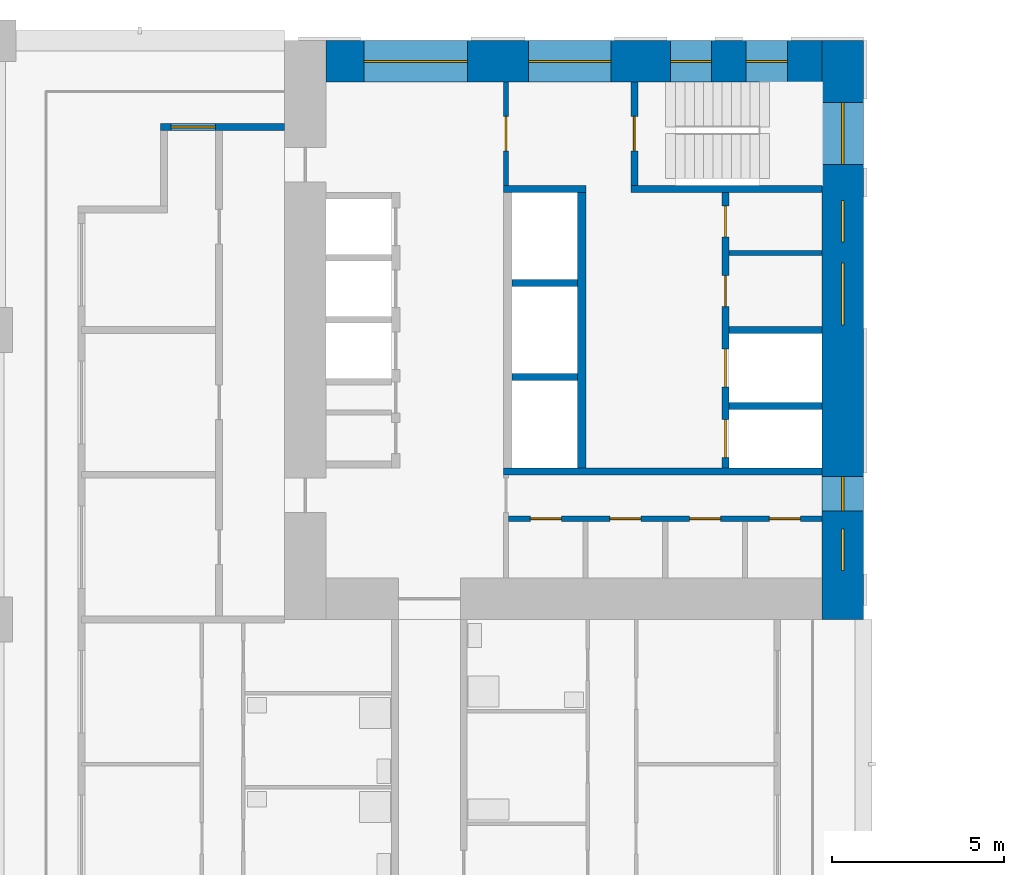
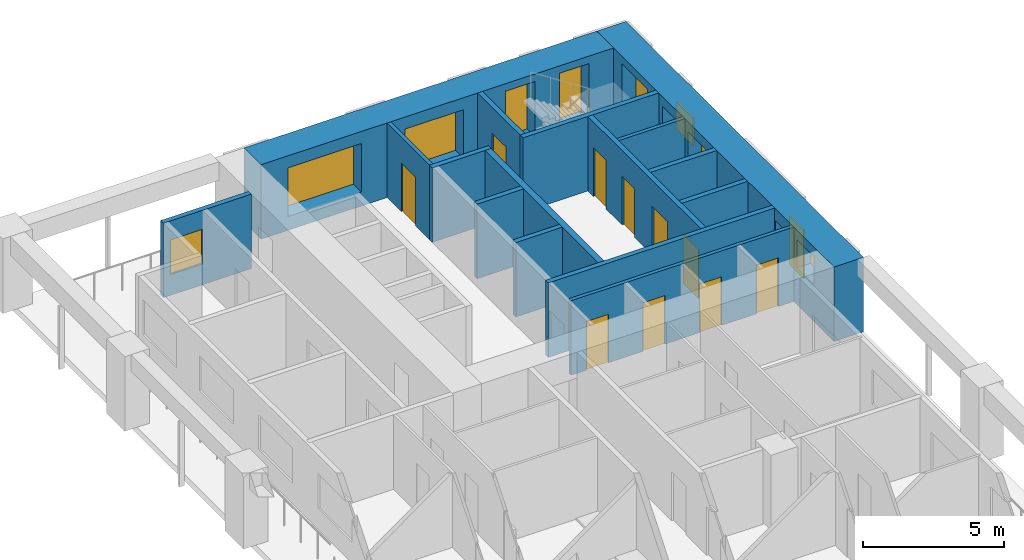
# One storey, part 8 of 17: 16 walls, 10 doors, 10 windows, 20 openings.
"""IFC4 building model written with IfcOpenShell, lengths in metres."""

from ifc_helpers import new_model, si_unit, direction, frame, frame_2d, origin, place, context, subcontext, project, spatial, rectangle, extrude, material, layer, layer_set, type_object, element, fill, save


model = new_model("IFC4")

# Units and contexts
model_context = context("Model", 3, precision=1e-05, world=origin(), true_north=direction((0.0, 1.0)))
body_context = subcontext(model_context, "Body", "Model", "MODEL_VIEW")
ifc_project = project(units=[si_unit("LENGTHUNIT", "METRE"), si_unit("AREAUNIT", "SQUARE_METRE"), si_unit("VOLUMEUNIT", "CUBIC_METRE"), si_unit("PLANEANGLEUNIT", "RADIAN"), si_unit("MASSUNIT", "GRAM", prefix="KILO")], contexts=[model_context])

# Site, building, storey
site_placement = place(None, origin())
site = spatial("IfcSite", under=ifc_project, at=site_placement, CompositionType="ELEMENT")
building_placement = place(site_placement, origin())
building = spatial("IfcBuilding", under=site, at=building_placement, Name="Vermilion Gate Residences", CompositionType="ELEMENT")
storey_placement = place(building_placement, frame((0.0, 0.0, 95.199951171875)))
storey = spatial("IfcBuildingStorey", under=building, at=storey_placement, Name="L23", CompositionType="ELEMENT", Elevation=95.199951171875)

# Wall
ifc_material_1 = material(Name="Masonry blockwork", Category="masonry")
ifc_layer_1 = layer(ifc_material_1, 0.14990234375)
ifc_layer_set_1 = layer_set([ifc_layer_1], Name="BLOCKWORK PARTITION 150 EI 120")
wall_type_1 = type_object("IfcWallType", Name="BLOCKWORK PARTITION 150 EI 120", PredefinedType="PARTITIONING", material=ifc_layer_set_1)
wall_1_placement = place(storey_placement, frame((21.300048828125, 52.637451171875, 0.0), z_axis=(0.0, 0.0, 1.0), x_axis=(1.0, 0.0, 0.0)))
element("IfcWall", 1, at=wall_1_placement, inside=storey, type_object=wall_type_1, Name="Core room partition B23-NR-P0", PredefinedType="PARTITIONING", context=body_context, shape_type="SweptSolid", body=[
    extrude(rectangle(XDim=2.699951171875, YDim=0.14990234375, at=frame_2d((1.35009765625, 0.0))), origin(), (0.0, 0.0, 1.0), 3.219970703125),
])

# Wall, opening, door
wall_2_placement = place(storey_placement, frame((14.824951171875, 57.60009765625, 0.0), z_axis=(0.0, 0.0, 1.0), x_axis=(0.0, -1.0, 0.0)))
wall_2 = element("IfcWall", 2, at=wall_2_placement, inside=storey, type_object=wall_type_1, Name="Core room partition B23-VW-S", PredefinedType="PARTITIONING", context=body_context, shape_type="SweptSolid", body=[
    extrude(rectangle(XDim=3.0, YDim=0.14990234375, at=frame_2d((1.5, 0.0))), origin(), (0.0, 0.0, 1.0), 3.219970703125),
])
opening_1_placement = place(wall_2_placement, frame((1.0, 0.0, 0.0)))
opening_1 = element("IfcOpeningElement", 3, at=opening_1_placement, cuts=wall_2, Name="Opening DK23113", PredefinedType="OPENING", context=body_context, shape_type="SweptSolid", body=[
    extrude(rectangle(XDim=1.0, YDim=2.10009765625, at=frame_2d((0.5, 1.050048828125))), frame((0.0, 0.0849609375, 0.0), z_axis=(0.0, -1.0, 0.0), x_axis=(1.0, 0.0, 0.0)), (0.0, 0.0, 1.0), 0.169921875),
])
ifc_material_2 = material(Name="Steel", Category="steel")
door_type_1 = type_object("IfcDoorType", Name="FIRE DOOR FD60 1000 X 2100", OperationType="SINGLE_SWING_LEFT", PredefinedType="DOOR", material=ifc_material_2)
door_1_placement = place(opening_1_placement, frame((1.0, 0.0, 0.0), z_axis=(0.0, 0.0, 1.0), x_axis=(-1.0, 0.0, 0.0)))
door_1 = element("IfcDoor", 4, at=door_1_placement, inside=storey, type_object=door_type_1, Name="Stair vestibule door B23", OperationType="SINGLE_SWING_RIGHT", OverallHeight=2.10009765625, OverallWidth=1.0, PredefinedType="DOOR", context=body_context, shape_type="SweptSolid", body=[
    extrude(rectangle(XDim=1.0, YDim=2.10009765625, at=frame_2d((0.5, 1.050048828125))), frame((0.0, 0.02490234375, 0.0), z_axis=(0.0, -1.0, 0.0), x_axis=(1.0, 0.0, 0.0)), (0.0, 0.0, 1.0), 0.050048828125),
])
fill(opening_1, door_1)

# Wall, openings, doors
wall_3_placement = place(storey_placement, frame((14.89990234375, 44.925048828125, 0.0), z_axis=(0.0, 0.0, 1.0), x_axis=(1.0, 0.0, 0.0)))
wall_3 = element("IfcWall", 5, at=wall_3_placement, inside=storey, type_object=wall_type_1, Name="Core room partition B23-ES-W", PredefinedType="PARTITIONING", context=body_context, shape_type="SweptSolid", body=[
    extrude(rectangle(XDim=9.10009765625, YDim=0.14990234375, at=frame_2d((4.550048828125, 0.0))), origin(), (0.0, 0.0, 1.0), 3.219970703125),
])
opening_2_placement = place(wall_3_placement, frame((0.63134765625, 0.0, 0.0)))
opening_2 = element("IfcOpeningElement", 6, at=opening_2_placement, cuts=wall_3, Name="Opening DK23116", PredefinedType="OPENING", context=body_context, shape_type="SweptSolid", body=[
    extrude(rectangle(XDim=0.89990234375, YDim=2.10009765625, at=frame_2d((0.449951171875, 1.050048828125))), frame((0.0, 0.0849609375, 0.0), z_axis=(0.0, -1.0, 0.0), x_axis=(1.0, 0.0, 0.0)), (0.0, 0.0, 1.0), 0.169921875),
])
opening_3_placement = place(wall_3_placement, frame((2.94384765625, 0.0, 0.0)))
opening_3 = element("IfcOpeningElement", 7, at=opening_3_placement, cuts=wall_3, Name="Opening DK23117", PredefinedType="OPENING", context=body_context, shape_type="SweptSolid", body=[
    extrude(rectangle(XDim=0.89990234375, YDim=2.10009765625, at=frame_2d((0.449951171875, 1.050048828125))), frame((0.0, 0.0849609375, 0.0), z_axis=(0.0, -1.0, 0.0), x_axis=(1.0, 0.0, 0.0)), (0.0, 0.0, 1.0), 0.169921875),
])
opening_4_placement = place(wall_3_placement, frame((5.25634765625, 0.0, 0.0)))
opening_4 = element("IfcOpeningElement", 8, at=opening_4_placement, cuts=wall_3, Name="Opening DK23118", PredefinedType="OPENING", context=body_context, shape_type="SweptSolid", body=[
    extrude(rectangle(XDim=0.89990234375, YDim=2.10009765625, at=frame_2d((0.449951171875, 1.050048828125))), frame((0.0, 0.0849609375, 0.0), z_axis=(0.0, -1.0, 0.0), x_axis=(1.0, 0.0, 0.0)), (0.0, 0.0, 1.0), 0.169921875),
])
opening_5_placement = place(wall_3_placement, frame((7.56884765625, 0.0, 0.0)))
opening_5 = element("IfcOpeningElement", 9, at=opening_5_placement, cuts=wall_3, Name="Opening DK23119", PredefinedType="OPENING", context=body_context, shape_type="SweptSolid", body=[
    extrude(rectangle(XDim=0.89990234375, YDim=2.10009765625, at=frame_2d((0.449951171875, 1.050048828125))), frame((0.0, 0.0849609375, 0.0), z_axis=(0.0, -1.0, 0.0), x_axis=(1.0, 0.0, 0.0)), (0.0, 0.0, 1.0), 0.169921875),
])
ifc_material_3 = material(Name="Steel", Category="steel")
door_type_2 = type_object("IfcDoorType", Name="SERVICE ROOM DOOR FD60 900 X 2100", OperationType="SINGLE_SWING_LEFT", PredefinedType="DOOR", material=ifc_material_3)
door_2_placement = place(opening_2_placement, frame((0.89990234375, 0.0, 0.0), z_axis=(0.0, 0.0, 1.0), x_axis=(-1.0, 0.0, 0.0)))
door_2 = element("IfcDoor", 10, at=door_2_placement, inside=storey, type_object=door_type_2, Name="Electrical room B23", OperationType="SINGLE_SWING_RIGHT", OverallHeight=2.10009765625, OverallWidth=0.89990234375, PredefinedType="DOOR", context=body_context, shape_type="SweptSolid", body=[
    extrude(rectangle(XDim=0.89990234375, YDim=2.10009765625, at=frame_2d((0.449951171875, 1.050048828125))), frame((0.0, 0.02490234375, 0.0), z_axis=(0.0, -1.0, 0.0), x_axis=(1.0, 0.0, 0.0)), (0.0, 0.0, 1.0), 0.050048828125),
])
fill(opening_2, door_2)
door_3_placement = place(opening_3_placement, frame((0.89990234375, 0.0, 0.0), z_axis=(0.0, 0.0, 1.0), x_axis=(-1.0, 0.0, 0.0)))
door_3 = element("IfcDoor", 11, at=door_3_placement, inside=storey, type_object=door_type_2, Name="Storage room B23", OperationType="SINGLE_SWING_RIGHT", OverallHeight=2.10009765625, OverallWidth=0.89990234375, PredefinedType="DOOR", context=body_context, shape_type="SweptSolid", body=[
    extrude(rectangle(XDim=0.89990234375, YDim=2.10009765625, at=frame_2d((0.449951171875, 1.050048828125))), frame((0.0, 0.02490234375, 0.0), z_axis=(0.0, -1.0, 0.0), x_axis=(1.0, 0.0, 0.0)), (0.0, 0.0, 1.0), 0.050048828125),
])
fill(opening_3, door_3)
door_4_placement = place(opening_4_placement, frame((0.89990234375, 0.0, 0.0), z_axis=(0.0, 0.0, 1.0), x_axis=(-1.0, 0.0, 0.0)))
door_4 = element("IfcDoor", 12, at=door_4_placement, inside=storey, type_object=door_type_2, Name="Storage room B23", OperationType="SINGLE_SWING_RIGHT", OverallHeight=2.10009765625, OverallWidth=0.89990234375, PredefinedType="DOOR", context=body_context, shape_type="SweptSolid", body=[
    extrude(rectangle(XDim=0.89990234375, YDim=2.10009765625, at=frame_2d((0.449951171875, 1.050048828125))), frame((0.0, 0.02490234375, 0.0), z_axis=(0.0, -1.0, 0.0), x_axis=(1.0, 0.0, 0.0)), (0.0, 0.0, 1.0), 0.050048828125),
])
fill(opening_4, door_4)
door_5_placement = place(opening_5_placement, frame((0.89990234375, 0.0, 0.0), z_axis=(0.0, 0.0, 1.0), x_axis=(-1.0, 0.0, 0.0)))
door_5 = element("IfcDoor", 13, at=door_5_placement, inside=storey, type_object=door_type_2, Name="Communications room B23", OperationType="SINGLE_SWING_RIGHT", OverallHeight=2.10009765625, OverallWidth=0.89990234375, PredefinedType="DOOR", context=body_context, shape_type="SweptSolid", body=[
    extrude(rectangle(XDim=0.89990234375, YDim=2.10009765625, at=frame_2d((0.449951171875, 1.050048828125))), frame((0.0, 0.02490234375, 0.0), z_axis=(0.0, -1.0, 0.0), x_axis=(1.0, 0.0, 0.0)), (0.0, 0.0, 1.0), 0.050048828125),
])
fill(opening_5, door_5)

# Wall, opening, window
ifc_material_4 = material(Name="Insulated steel stud wall with terracotta rainscreen", Category="masonry")
ifc_layer_2 = layer(ifc_material_4, 0.199951171875)
ifc_layer_set_2 = layer_set([ifc_layer_2], Name="EXTERNAL WALL 200 TERRACOTTA RAINSCREEN")
wall_type_2 = type_object("IfcWallType", Name="EXTERNAL WALL 200 TERRACOTTA RAINSCREEN", PredefinedType="SOLIDWALL", material=ifc_layer_set_2)
wall_4_placement = place(storey_placement, frame((8.39990234375, 56.300048828125, 0.0), z_axis=(0.0, 0.0, 1.0), x_axis=(-1.0, 0.0, 0.0)))
wall_4 = element("IfcWall", 14, at=wall_4_placement, inside=storey, type_object=wall_type_2, Name="External wall", PredefinedType="SOLIDWALL", context=body_context, shape_type="SweptSolid", body=[
    extrude(rectangle(XDim=3.599853515625, YDim=0.199951171875, at=frame_2d((1.7998046875, 0.0))), origin(), (0.0, 0.0, 1.0), 3.219970703125),
])
opening_6_placement = place(wall_4_placement, frame((2.0, 0.0, 0.89990234375)))
opening_6 = element("IfcOpeningElement", 15, at=opening_6_placement, cuts=wall_4, Name="Opening WE23001", PredefinedType="OPENING", context=body_context, shape_type="SweptSolid", body=[
    extrude(rectangle(XDim=1.300048828125, YDim=1.5, at=frame_2d((0.64990234375, 0.75))), frame((0.0, 0.10986328125, 0.0), z_axis=(0.0, -1.0, 0.0), x_axis=(1.0, 0.0, 0.0)), (0.0, 0.0, 1.0), 0.219970703125),
])
ifc_material_5 = material(Name="Aluminium and clear glass", Category="aluminium")
window_type_1 = type_object("IfcWindowType", Name="WINDOW 1300 X 1500", PartitioningType="SINGLE_PANEL", PredefinedType="WINDOW", material=ifc_material_5)
window_1_placement = place(opening_6_placement, origin())
window_1 = element("IfcWindow", 16, at=window_1_placement, inside=storey, type_object=window_type_1, Name="Window", OverallHeight=1.5, OverallWidth=1.300048828125, PartitioningType="SINGLE_PANEL", PredefinedType="WINDOW", context=body_context, shape_type="SweptSolid", body=[
    extrude(rectangle(XDim=1.300048828125, YDim=1.5, at=frame_2d((0.64990234375, 0.75))), frame((0.0, 0.030029296875, 0.0), z_axis=(0.0, -1.0, 0.0), x_axis=(1.0, 0.0, 0.0)), (0.0, 0.0, 1.0), 0.06005859375),
])
fill(opening_6, window_1)

# Walls
ifc_material_6 = material(Name="Concrete C60", Category="concrete")
ifc_layer_3 = layer(ifc_material_6, 0.199951171875)
ifc_layer_set_3 = layer_set([ifc_layer_3], Name="RC CORE INTERNAL WALL 200 C60")
wall_type_3 = type_object("IfcWallType", Name="RC CORE INTERNAL WALL 200 C60", PredefinedType="SHEAR", material=ifc_layer_set_3)
for number, where, z_axis, x_axis, name in (
    (17, (15.0, 51.7666015625, 0.0), (0.0, 0.0, 1.0), (1.0, 0.0, 0.0), "Core internal wall B23-HR-D1"),
    (18, (15.0, 49.033447265625, 0.0), (0.0, 0.0, 1.0), (1.0, 0.0, 0.0), "Core internal wall B23-HR-D2"),
):
    element("IfcWall", number, at=place(storey_placement, frame(where, z_axis=z_axis, x_axis=x_axis)), inside=storey, type_object=wall_type_3, Name=name, PredefinedType="SHEAR", context=body_context, shape_type="SweptSolid", body=[
        extrude(rectangle(XDim=1.89990234375, YDim=0.199951171875, at=frame_2d((0.949951171875, 0.0))), origin(), (0.0, 0.0, 1.0), 3.219970703125),
    ])
for number, where, z_axis, x_axis, name in (
    (19, (21.300048828125, 50.39990234375, 0.0), (0.0, 0.0, 1.0), (1.0, 0.0, 0.0), "Core internal wall B23-FF-D0"),
    (20, (21.300048828125, 48.199951171875, 0.0), (0.0, 0.0, 1.0), (1.0, 0.0, 0.0), "Core internal wall B23-FF-D1"),
):
    element("IfcWall", number, at=place(storey_placement, frame(where, z_axis=z_axis, x_axis=x_axis)), inside=storey, type_object=wall_type_3, Name=name, PredefinedType="SHEAR", context=body_context, shape_type="SweptSolid", body=[
        extrude(rectangle(XDim=2.699951171875, YDim=0.199951171875, at=frame_2d((1.35009765625, 0.0))), origin(), (0.0, 0.0, 1.0), 3.219970703125),
    ])

# Wall, openings, doors
wall_5_placement = place(storey_placement, frame((21.199951171875, 54.39990234375, 0.0), z_axis=(0.0, 0.0, 1.0), x_axis=(0.0, -1.0, 0.0)))
wall_5 = element("IfcWall", 21, at=wall_5_placement, inside=storey, type_object=wall_type_3, Name="Core internal wall B23-FF-F", PredefinedType="SHEAR", context=body_context, shape_type="SweptSolid", body=[
    extrude(rectangle(XDim=8.0, YDim=0.199951171875, at=frame_2d((4.0, 0.0))), origin(), (0.0, 0.0, 1.0), 3.219970703125),
])
opening_7_placement = place(wall_5_placement, frame((0.393798828125, 0.0, 0.0)))
opening_7 = element("IfcOpeningElement", 22, at=opening_7_placement, cuts=wall_5, Name="Opening DK23109", PredefinedType="OPENING", context=body_context, shape_type="SweptSolid", body=[
    extrude(rectangle(XDim=0.89990234375, YDim=2.10009765625, at=frame_2d((0.449951171875, 1.050048828125))), frame((0.0, 0.10986328125, 0.0), z_axis=(0.0, -1.0, 0.0), x_axis=(1.0, 0.0, 0.0)), (0.0, 0.0, 1.0), 0.219970703125),
])
opening_8_placement = place(wall_5_placement, frame((2.418701171875, 0.0, 0.0)))
opening_8 = element("IfcOpeningElement", 23, at=opening_8_placement, cuts=wall_5, Name="Opening DK23110", PredefinedType="OPENING", context=body_context, shape_type="SweptSolid", body=[
    extrude(rectangle(XDim=0.89990234375, YDim=2.10009765625, at=frame_2d((0.449951171875, 1.050048828125))), frame((0.0, 0.10986328125, 0.0), z_axis=(0.0, -1.0, 0.0), x_axis=(1.0, 0.0, 0.0)), (0.0, 0.0, 1.0), 0.219970703125),
])
opening_9_placement = place(wall_5_placement, frame((4.550048828125, 0.0, 0.0)))
opening_9 = element("IfcOpeningElement", 24, at=opening_9_placement, cuts=wall_5, Name="Opening LD", PredefinedType="OPENING", context=body_context, shape_type="SweptSolid", body=[
    extrude(rectangle(XDim=1.10009765625, YDim=2.10009765625, at=frame_2d((0.550048828125, 1.050048828125))), frame((0.0, 0.10986328125, 0.0), z_axis=(0.0, -1.0, 0.0), x_axis=(1.0, 0.0, 0.0)), (0.0, 0.0, 1.0), 0.219970703125),
])
opening_10_placement = place(wall_5_placement, frame((6.60009765625, 0.0, 0.0)))
opening_10 = element("IfcOpeningElement", 25, at=opening_10_placement, cuts=wall_5, Name="Opening LD", PredefinedType="OPENING", context=body_context, shape_type="SweptSolid", body=[
    extrude(rectangle(XDim=1.10009765625, YDim=2.10009765625, at=frame_2d((0.550048828125, 1.050048828125))), frame((0.0, 0.10986328125, 0.0), z_axis=(0.0, -1.0, 0.0), x_axis=(1.0, 0.0, 0.0)), (0.0, 0.0, 1.0), 0.219970703125),
])
ifc_material_7 = material(Name="Stainless steel", Category="steel")
door_type_3 = type_object("IfcDoorType", Name="LIFT LANDING DOOR E60 1100 X 2100", OperationType="DOUBLE_DOOR_SLIDING", PredefinedType="DOOR", material=ifc_material_7)
door_6_placement = place(opening_9_placement, origin())
door_6 = element("IfcDoor", 26, at=door_6_placement, inside=storey, type_object=door_type_3, Name="Lift landing door LFB1", OperationType="DOUBLE_DOOR_SLIDING", OverallHeight=2.10009765625, OverallWidth=1.10009765625, PredefinedType="DOOR", context=body_context, shape_type="SweptSolid", body=[
    extrude(rectangle(XDim=1.10009765625, YDim=2.10009765625, at=frame_2d((0.550048828125, 1.050048828125))), frame((0.0, 0.02490234375, 0.0), z_axis=(0.0, -1.0, 0.0), x_axis=(1.0, 0.0, 0.0)), (0.0, 0.0, 1.0), 0.050048828125),
])
fill(opening_9, door_6)
door_7_placement = place(opening_10_placement, origin())
door_7 = element("IfcDoor", 27, at=door_7_placement, inside=storey, type_object=door_type_3, Name="Lift landing door LCB1", OperationType="DOUBLE_DOOR_SLIDING", OverallHeight=2.10009765625, OverallWidth=1.10009765625, PredefinedType="DOOR", context=body_context, shape_type="SweptSolid", body=[
    extrude(rectangle(XDim=1.10009765625, YDim=2.10009765625, at=frame_2d((0.550048828125, 1.050048828125))), frame((0.0, 0.02490234375, 0.0), z_axis=(0.0, -1.0, 0.0), x_axis=(1.0, 0.0, 0.0)), (0.0, 0.0, 1.0), 0.050048828125),
])
fill(opening_10, door_7)
door_8_placement = place(opening_7_placement, origin())
door_8 = element("IfcDoor", 28, at=door_8_placement, inside=storey, type_object=door_type_2, Name="Parcel room B23", OperationType="SINGLE_SWING_RIGHT", OverallHeight=2.10009765625, OverallWidth=0.89990234375, PredefinedType="DOOR", context=body_context, shape_type="SweptSolid", body=[
    extrude(rectangle(XDim=0.89990234375, YDim=2.10009765625, at=frame_2d((0.449951171875, 1.050048828125))), frame((0.0, 0.02490234375, 0.0), z_axis=(0.0, -1.0, 0.0), x_axis=(1.0, 0.0, 0.0)), (0.0, 0.0, 1.0), 0.050048828125),
])
fill(opening_7, door_8)
door_9_placement = place(opening_8_placement, frame((0.89990234375, 0.0, 0.0), z_axis=(0.0, 0.0, 1.0), x_axis=(-1.0, 0.0, 0.0)))
door_9 = element("IfcDoor", 29, at=door_9_placement, inside=storey, type_object=door_type_2, Name="Electrical room B23", OperationType="SINGLE_SWING_RIGHT", OverallHeight=2.10009765625, OverallWidth=0.89990234375, PredefinedType="DOOR", context=body_context, shape_type="SweptSolid", body=[
    extrude(rectangle(XDim=0.89990234375, YDim=2.10009765625, at=frame_2d((0.449951171875, 1.050048828125))), frame((0.0, 0.02490234375, 0.0), z_axis=(0.0, -1.0, 0.0), x_axis=(1.0, 0.0, 0.0)), (0.0, 0.0, 1.0), 0.050048828125),
])
fill(opening_8, door_9)

# Walls
wall_6_placement = place(storey_placement, frame((14.75, 54.5, 0.0), z_axis=(0.0, 0.0, 1.0), x_axis=(1.0, 0.0, 0.0)))
element("IfcWall", 30, at=wall_6_placement, inside=storey, type_object=wall_type_3, Name="Core internal wall B23-WDIV1", PredefinedType="SHEAR", context=body_context, shape_type="SweptSolid", body=[
    extrude(rectangle(XDim=2.39990234375, YDim=0.199951171875, at=frame_2d((1.199951171875, 0.0))), origin(), (0.0, 0.0, 1.0), 3.219970703125),
])
wall_7_placement = place(storey_placement, frame((18.449951171875, 54.5, 0.0), z_axis=(0.0, 0.0, 1.0), x_axis=(1.0, 0.0, 0.0)))
element("IfcWall", 31, at=wall_7_placement, inside=storey, type_object=wall_type_3, Name="Core internal wall B23-WDIV2", PredefinedType="SHEAR", context=body_context, shape_type="SweptSolid", body=[
    extrude(rectangle(XDim=5.550048828125, YDim=0.199951171875, at=frame_2d((2.77490234375, 0.0))), origin(), (0.0, 0.0, 1.0), 3.219970703125),
])

# Wall, opening, door
wall_8_placement = place(storey_placement, frame((18.550048828125, 57.60009765625, 0.0), z_axis=(0.0, 0.0, 1.0), x_axis=(0.0, -1.0, 0.0)))
wall_8 = element("IfcWall", 32, at=wall_8_placement, inside=storey, type_object=wall_type_3, Name="Core internal wall B23-STW-S", PredefinedType="SHEAR", context=body_context, shape_type="SweptSolid", body=[
    extrude(rectangle(XDim=3.0, YDim=0.199951171875, at=frame_2d((1.5, 0.0))), origin(), (0.0, 0.0, 1.0), 3.219970703125),
])
opening_11_placement = place(wall_8_placement, frame((1.0, 0.0, 0.0)))
opening_11 = element("IfcOpeningElement", 33, at=opening_11_placement, cuts=wall_8, Name="Opening DK23114", PredefinedType="OPENING", context=body_context, shape_type="SweptSolid", body=[
    extrude(rectangle(XDim=1.0, YDim=2.10009765625, at=frame_2d((0.5, 1.050048828125))), frame((0.0, 0.10986328125, 0.0), z_axis=(0.0, -1.0, 0.0), x_axis=(1.0, 0.0, 0.0)), (0.0, 0.0, 1.0), 0.219970703125),
])
door_10_placement = place(opening_11_placement, origin())
door_10 = element("IfcDoor", 34, at=door_10_placement, inside=storey, type_object=door_type_1, Name="Stair door B23", OperationType="SINGLE_SWING_LEFT", OverallHeight=2.10009765625, OverallWidth=1.0, PredefinedType="DOOR", context=body_context, shape_type="SweptSolid", body=[
    extrude(rectangle(XDim=1.0, YDim=2.10009765625, at=frame_2d((0.5, 1.050048828125))), frame((0.0, 0.02490234375, 0.0), z_axis=(0.0, -1.0, 0.0), x_axis=(1.0, 0.0, 0.0)), (0.0, 0.0, 1.0), 0.050048828125),
])
fill(opening_11, door_10)

# Wall
wall_9_placement = place(storey_placement, frame((14.75, 46.300048828125, 0.0), z_axis=(0.0, 0.0, 1.0), x_axis=(1.0, 0.0, 0.0)))
element("IfcWall", 35, at=wall_9_placement, inside=storey, type_object=wall_type_3, Name="Core internal wall B23-EDIV", PredefinedType="SHEAR", context=body_context, shape_type="SweptSolid", body=[
    extrude(rectangle(XDim=9.25, YDim=0.199951171875, at=frame_2d((4.625, 0.0))), origin(), (0.0, 0.0, 1.0), 3.219970703125),
])

# Wall, openings, windows
ifc_material_8 = material(Name="Concrete C70 red-oxide pigmented", Category="concrete")
ifc_layer_4 = layer(ifc_material_8, 1.199951171875)
ifc_layer_set_4 = layer_set([ifc_layer_4], Name="RC CORE WALL 1200 C70 RED OXIDE")
wall_type_4 = type_object("IfcWallType", Name="RC CORE WALL 1200 C70 RED OXIDE", PredefinedType="SHEAR", material=ifc_layer_set_4)
wall_10_placement = place(storey_placement, frame((24.60009765625, 58.800048828125, 0.0), z_axis=(0.0, 0.0, 1.0), x_axis=(0.0, -1.0, 0.0)))
wall_10 = element("IfcWall", 36, at=wall_10_placement, inside=storey, type_object=wall_type_4, Name="Core wall B23-OUT-B1", PredefinedType="SHEAR", context=body_context, shape_type="SweptSolid", body=[
    extrude(rectangle(XDim=16.800048828125, YDim=1.199951171875, at=frame_2d((8.39990234375, 0.0))), origin(), (0.0, 0.0, 1.0), 3.219970703125),
])
opening_12_placement = place(wall_10_placement, frame((1.800048828125, 0.0, 0.5)))
opening_12 = element("IfcOpeningElement", 37, at=opening_12_placement, cuts=wall_10, Name="Opening WKB2301", PredefinedType="OPENING", context=body_context, shape_type="SweptSolid", body=[
    extrude(rectangle(XDim=1.800048828125, YDim=2.39990234375, at=frame_2d((0.89990234375, 1.199951171875))), frame((0.0, 0.60986328125, 0.0), z_axis=(0.0, -1.0, 0.0), x_axis=(1.0, 0.0, 0.0)), (0.0, 0.0, 1.0), 1.219970703125),
])
opening_13_placement = place(wall_10_placement, frame((4.643798828125, 0.0, 1.60009765625)))
opening_13 = element("IfcOpeningElement", 38, at=opening_13_placement, cuts=wall_10, Name="Opening WKB2302", PredefinedType="OPENING", context=body_context, shape_type="SweptSolid", body=[
    extrude(rectangle(XDim=1.199951171875, YDim=1.199951171875, at=frame_2d((0.60009765625, 0.60009765625))), frame((0.0, 0.60986328125, 0.0), z_axis=(0.0, -1.0, 0.0), x_axis=(1.0, 0.0, 0.0)), (0.0, 0.0, 1.0), 1.219970703125),
])
opening_14_placement = place(wall_10_placement, frame((6.449951171875, 0.0, 1.60009765625)))
opening_14 = element("IfcOpeningElement", 39, at=opening_14_placement, cuts=wall_10, Name="Opening WKB2303", PredefinedType="OPENING", context=body_context, shape_type="SweptSolid", body=[
    extrude(rectangle(XDim=1.800048828125, YDim=1.199951171875, at=frame_2d((0.89990234375, 0.60009765625))), frame((0.0, 0.60986328125, 0.0), z_axis=(0.0, -1.0, 0.0), x_axis=(1.0, 0.0, 0.0)), (0.0, 0.0, 1.0), 1.219970703125),
])
opening_15_placement = place(wall_10_placement, frame((12.64990234375, 0.0, 0.60009765625)))
opening_15 = element("IfcOpeningElement", 40, at=opening_15_placement, cuts=wall_10, Name="Opening WKB2304", PredefinedType="OPENING", context=body_context, shape_type="SweptSolid", body=[
    extrude(rectangle(XDim=1.0, YDim=2.10009765625, at=frame_2d((0.5, 1.050048828125))), frame((0.0, 0.60986328125, 0.0), z_axis=(0.0, -1.0, 0.0), x_axis=(1.0, 0.0, 0.0)), (0.0, 0.0, 1.0), 1.219970703125),
])
opening_16_placement = place(wall_10_placement, frame((14.175048828125, 0.0, 1.60009765625)))
opening_16 = element("IfcOpeningElement", 41, at=opening_16_placement, cuts=wall_10, Name="Opening WKB2305", PredefinedType="OPENING", context=body_context, shape_type="SweptSolid", body=[
    extrude(rectangle(XDim=1.199951171875, YDim=1.199951171875, at=frame_2d((0.60009765625, 0.60009765625))), frame((0.0, 0.60986328125, 0.0), z_axis=(0.0, -1.0, 0.0), x_axis=(1.0, 0.0, 0.0)), (0.0, 0.0, 1.0), 1.219970703125),
])
ifc_material_9 = material(Name="Aluminium and clear glass", Category="aluminium")
window_type_2 = type_object("IfcWindowType", Name="CORE CORRIDOR WINDOW 1000 X 2100", PartitioningType="SINGLE_PANEL", PredefinedType="WINDOW", material=ifc_material_9)
window_2_placement = place(opening_15_placement, origin())
window_2 = element("IfcWindow", 42, at=window_2_placement, inside=storey, type_object=window_type_2, Name="Core corridor window", OverallHeight=2.10009765625, OverallWidth=1.0, PartitioningType="SINGLE_PANEL", PredefinedType="WINDOW", context=body_context, shape_type="SweptSolid", body=[
    extrude(rectangle(XDim=1.0, YDim=2.10009765625, at=frame_2d((0.5, 1.050048828125))), frame((0.0, 0.030029296875, 0.0), z_axis=(0.0, -1.0, 0.0), x_axis=(1.0, 0.0, 0.0)), (0.0, 0.0, 1.0), 0.06005859375),
])
fill(opening_15, window_2)
ifc_material_10 = material(Name="Aluminium frame with louvre blades", Category="aluminium")
window_type_3 = type_object("IfcWindowType", Name="CORE LOUVRE 1200 X 1200", PartitioningType="SINGLE_PANEL", PredefinedType="WINDOW", material=ifc_material_10)
window_3_placement = place(opening_13_placement, origin())
window_3 = element("IfcWindow", 43, at=window_3_placement, inside=storey, type_object=window_type_3, Name="Core louvre", OverallHeight=1.199951171875, OverallWidth=1.199951171875, PartitioningType="SINGLE_PANEL", PredefinedType="WINDOW", context=body_context, shape_type="SweptSolid", body=[
    extrude(rectangle(XDim=1.199951171875, YDim=1.199951171875, at=frame_2d((0.60009765625, 0.60009765625))), frame((0.0, 0.030029296875, 0.0), z_axis=(0.0, -1.0, 0.0), x_axis=(1.0, 0.0, 0.0)), (0.0, 0.0, 1.0), 0.06005859375),
])
fill(opening_13, window_3)
window_4_placement = place(opening_16_placement, origin())
window_4 = element("IfcWindow", 44, at=window_4_placement, inside=storey, type_object=window_type_3, Name="Core louvre", OverallHeight=1.199951171875, OverallWidth=1.199951171875, PartitioningType="SINGLE_PANEL", PredefinedType="WINDOW", context=body_context, shape_type="SweptSolid", body=[
    extrude(rectangle(XDim=1.199951171875, YDim=1.199951171875, at=frame_2d((0.60009765625, 0.60009765625))), frame((0.0, 0.030029296875, 0.0), z_axis=(0.0, -1.0, 0.0), x_axis=(1.0, 0.0, 0.0)), (0.0, 0.0, 1.0), 0.06005859375),
])
fill(opening_16, window_4)
ifc_material_11 = material(Name="Aluminium frame with louvre blades", Category="aluminium")
window_type_4 = type_object("IfcWindowType", Name="CORE LOUVRE 1800 X 1200", PartitioningType="SINGLE_PANEL", PredefinedType="WINDOW", material=ifc_material_11)
window_5_placement = place(opening_14_placement, origin())
window_5 = element("IfcWindow", 45, at=window_5_placement, inside=storey, type_object=window_type_4, Name="Core louvre", OverallHeight=1.199951171875, OverallWidth=1.800048828125, PartitioningType="SINGLE_PANEL", PredefinedType="WINDOW", context=body_context, shape_type="SweptSolid", body=[
    extrude(rectangle(XDim=1.800048828125, YDim=1.199951171875, at=frame_2d((0.89990234375, 0.60009765625))), frame((0.0, 0.030029296875, 0.0), z_axis=(0.0, -1.0, 0.0), x_axis=(1.0, 0.0, 0.0)), (0.0, 0.0, 1.0), 0.06005859375),
])
fill(opening_14, window_5)
ifc_material_12 = material(Name="Aluminium and clear glass", Category="aluminium")
window_type_5 = type_object("IfcWindowType", Name="CORE STAIR WINDOW 1800 X 2400", PartitioningType="SINGLE_PANEL", PredefinedType="WINDOW", material=ifc_material_12)
window_6_placement = place(opening_12_placement, origin())
window_6 = element("IfcWindow", 46, at=window_6_placement, inside=storey, type_object=window_type_5, Name="Core stair window", OverallHeight=2.39990234375, OverallWidth=1.800048828125, PartitioningType="SINGLE_PANEL", PredefinedType="WINDOW", context=body_context, shape_type="SweptSolid", body=[
    extrude(rectangle(XDim=1.800048828125, YDim=2.39990234375, at=frame_2d((0.89990234375, 1.199951171875))), frame((0.0, 0.030029296875, 0.0), z_axis=(0.0, -1.0, 0.0), x_axis=(1.0, 0.0, 0.0)), (0.0, 0.0, 1.0), 0.06005859375),
])
fill(opening_12, window_6)

wall_11_placement = place(storey_placement, frame((9.60009765625, 58.199951171875, 0.0), z_axis=(0.0, 0.0, 1.0), x_axis=(1.0, 0.0, 0.0)))
wall_11 = element("IfcWall", 47, at=wall_11_placement, inside=storey, type_object=wall_type_4, Name="Core wall B23-OUT-FR", PredefinedType="SHEAR", context=body_context, shape_type="SweptSolid", body=[
    extrude(rectangle(XDim=14.39990234375, YDim=1.199951171875, at=frame_2d((7.199951171875, 0.0))), origin(), (0.0, 0.0, 1.0), 3.219970703125),
])
opening_17_placement = place(wall_11_placement, frame((1.10498046875, 0.0, 0.60009765625)))
opening_17 = element("IfcOpeningElement", 48, at=opening_17_placement, cuts=wall_11, Name="Opening WKB2306", PredefinedType="OPENING", context=body_context, shape_type="SweptSolid", body=[
    extrude(rectangle(XDim=3.0, YDim=2.10009765625, at=frame_2d((1.5, 1.050048828125))), frame((0.0, 0.60986328125, 0.0), z_axis=(0.0, -1.0, 0.0), x_axis=(1.0, 0.0, 0.0)), (0.0, 0.0, 1.0), 1.219970703125),
])
opening_18_placement = place(wall_11_placement, frame((5.875, 0.0, 0.60009765625)))
opening_18 = element("IfcOpeningElement", 49, at=opening_18_placement, cuts=wall_11, Name="Opening WKB2307", PredefinedType="OPENING", context=body_context, shape_type="SweptSolid", body=[
    extrude(rectangle(XDim=2.39990234375, YDim=2.10009765625, at=frame_2d((1.199951171875, 1.050048828125))), frame((0.0, 0.60986328125, 0.0), z_axis=(0.0, -1.0, 0.0), x_axis=(1.0, 0.0, 0.0)), (0.0, 0.0, 1.0), 1.219970703125),
])
opening_19_placement = place(wall_11_placement, frame((9.993408203125, 0.0, 0.5)))
opening_19 = element("IfcOpeningElement", 50, at=opening_19_placement, cuts=wall_11, Name="Opening WKB2308", PredefinedType="OPENING", context=body_context, shape_type="SweptSolid", body=[
    extrude(rectangle(XDim=1.199951171875, YDim=2.39990234375, at=frame_2d((0.60009765625, 1.199951171875))), frame((0.0, 0.60986328125, 0.0), z_axis=(0.0, -1.0, 0.0), x_axis=(1.0, 0.0, 0.0)), (0.0, 0.0, 1.0), 1.219970703125),
])
opening_20_placement = place(wall_11_placement, frame((12.19677734375, 0.0, 0.5)))
opening_20 = element("IfcOpeningElement", 51, at=opening_20_placement, cuts=wall_11, Name="Opening WKB2309", PredefinedType="OPENING", context=body_context, shape_type="SweptSolid", body=[
    extrude(rectangle(XDim=1.199951171875, YDim=2.39990234375, at=frame_2d((0.60009765625, 1.199951171875))), frame((0.0, 0.60986328125, 0.0), z_axis=(0.0, -1.0, 0.0), x_axis=(1.0, 0.0, 0.0)), (0.0, 0.0, 1.0), 1.219970703125),
])
ifc_material_13 = material(Name="Aluminium and clear glass", Category="aluminium")
window_type_6 = type_object("IfcWindowType", Name="CORE LOBBY WINDOW 2400 X 2100", PartitioningType="SINGLE_PANEL", PredefinedType="WINDOW", material=ifc_material_13)
window_7_placement = place(opening_18_placement, origin())
window_7 = element("IfcWindow", 52, at=window_7_placement, inside=storey, type_object=window_type_6, Name="Core lobby window", OverallHeight=2.10009765625, OverallWidth=2.39990234375, PartitioningType="SINGLE_PANEL", PredefinedType="WINDOW", context=body_context, shape_type="SweptSolid", body=[
    extrude(rectangle(XDim=2.39990234375, YDim=2.10009765625, at=frame_2d((1.199951171875, 1.050048828125))), frame((0.0, 0.030029296875, 0.0), z_axis=(0.0, -1.0, 0.0), x_axis=(1.0, 0.0, 0.0)), (0.0, 0.0, 1.0), 0.06005859375),
])
fill(opening_18, window_7)
ifc_material_14 = material(Name="Aluminium and clear glass", Category="aluminium")
window_type_7 = type_object("IfcWindowType", Name="CORE LOBBY WINDOW 3000 X 2100", PartitioningType="SINGLE_PANEL", PredefinedType="WINDOW", material=ifc_material_14)
window_8_placement = place(opening_17_placement, origin())
window_8 = element("IfcWindow", 53, at=window_8_placement, inside=storey, type_object=window_type_7, Name="Core lobby window", OverallHeight=2.10009765625, OverallWidth=3.0, PartitioningType="SINGLE_PANEL", PredefinedType="WINDOW", context=body_context, shape_type="SweptSolid", body=[
    extrude(rectangle(XDim=3.0, YDim=2.10009765625, at=frame_2d((1.5, 1.050048828125))), frame((0.0, 0.030029296875, 0.0), z_axis=(0.0, -1.0, 0.0), x_axis=(1.0, 0.0, 0.0)), (0.0, 0.0, 1.0), 0.06005859375),
])
fill(opening_17, window_8)
ifc_material_15 = material(Name="Aluminium and clear glass", Category="aluminium")
window_type_8 = type_object("IfcWindowType", Name="CORE STAIR WINDOW 1200 X 2400", PartitioningType="SINGLE_PANEL", PredefinedType="WINDOW", material=ifc_material_15)
window_9_placement = place(opening_19_placement, origin())
window_9 = element("IfcWindow", 54, at=window_9_placement, inside=storey, type_object=window_type_8, Name="Core stair window", OverallHeight=2.39990234375, OverallWidth=1.199951171875, PartitioningType="SINGLE_PANEL", PredefinedType="WINDOW", context=body_context, shape_type="SweptSolid", body=[
    extrude(rectangle(XDim=1.199951171875, YDim=2.39990234375, at=frame_2d((0.60009765625, 1.199951171875))), frame((0.0, 0.030029296875, 0.0), z_axis=(0.0, -1.0, 0.0), x_axis=(1.0, 0.0, 0.0)), (0.0, 0.0, 1.0), 0.06005859375),
])
fill(opening_19, window_9)
window_10_placement = place(opening_20_placement, origin())
window_10 = element("IfcWindow", 55, at=window_10_placement, inside=storey, type_object=window_type_8, Name="Core stair window", OverallHeight=2.39990234375, OverallWidth=1.199951171875, PartitioningType="SINGLE_PANEL", PredefinedType="WINDOW", context=body_context, shape_type="SweptSolid", body=[
    extrude(rectangle(XDim=1.199951171875, YDim=2.39990234375, at=frame_2d((0.60009765625, 1.199951171875))), frame((0.0, 0.030029296875, 0.0), z_axis=(0.0, -1.0, 0.0), x_axis=(1.0, 0.0, 0.0)), (0.0, 0.0, 1.0), 0.06005859375),
])
fill(opening_20, window_10)

# Wall
ifc_material_16 = material(Name="Concrete C60", Category="concrete")
ifc_layer_5 = layer(ifc_material_16, 0.25)
ifc_layer_set_5 = layer_set([ifc_layer_5], Name="RC LIFT SHAFT WALL 250 C60")
wall_type_5 = type_object("IfcWallType", Name="RC LIFT SHAFT WALL 250 C60", PredefinedType="SHEAR", material=ifc_layer_set_5)
wall_12_placement = place(storey_placement, frame((17.02490234375, 54.39990234375, 0.0), z_axis=(0.0, 0.0, 1.0), x_axis=(0.0, -1.0, 0.0)))
element("IfcWall", 56, at=wall_12_placement, inside=storey, type_object=wall_type_5, Name="Lift shaft wall B23-HR-B", PredefinedType="SHEAR", context=body_context, shape_type="SweptSolid", body=[
    extrude(rectangle(XDim=8.0, YDim=0.25, at=frame_2d((4.0, 0.0))), origin(), (0.0, 0.0, 1.0), 3.219970703125),
])

save(model, "model.ifc")
